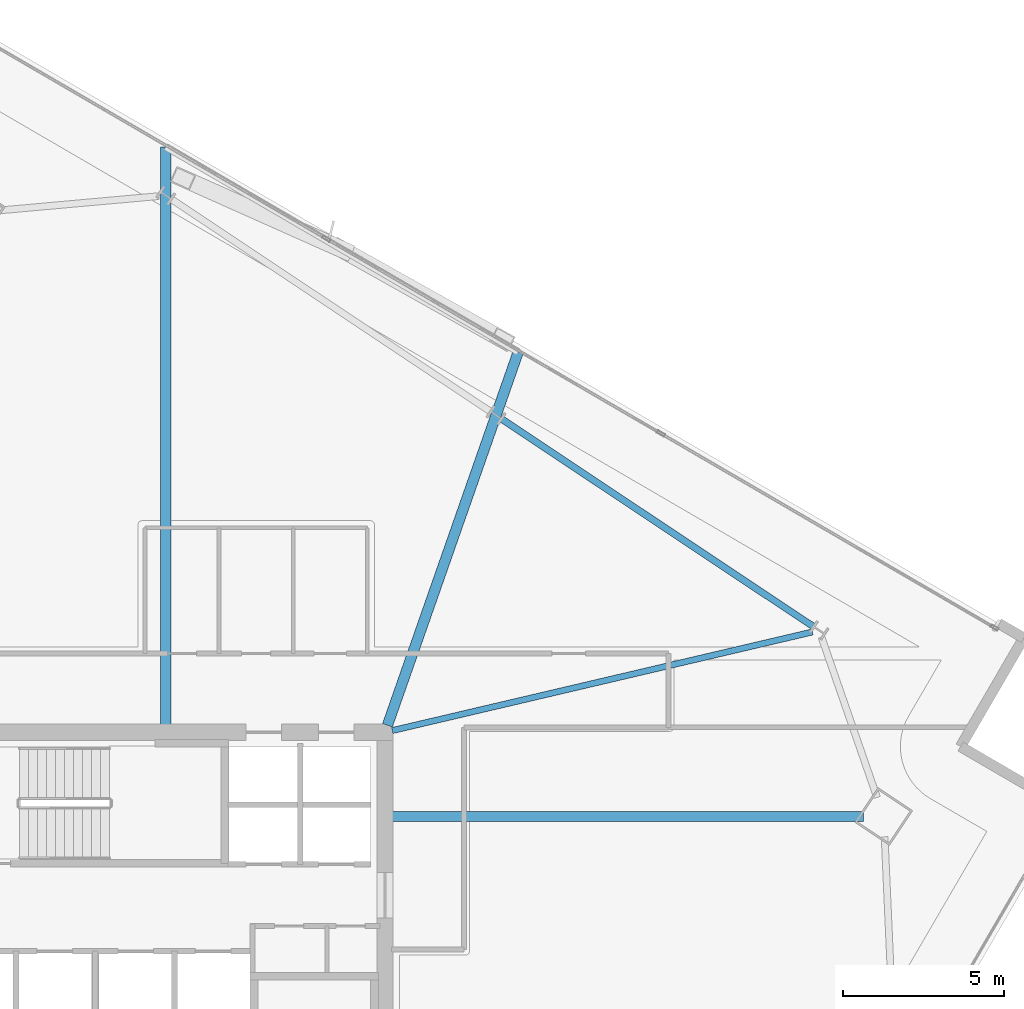
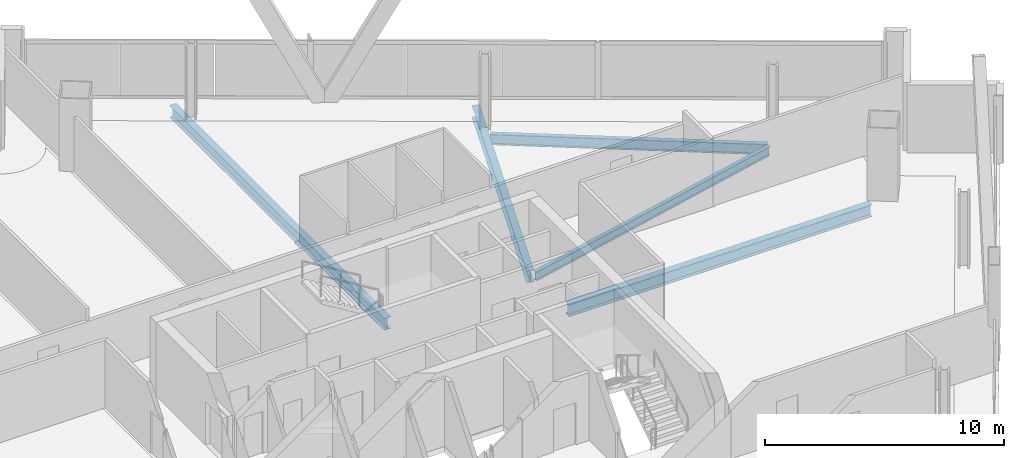
# One storey, part 16 of 29: 5 beams.
"""IFC4 building model written with IfcOpenShell, lengths in metres."""

from ifc_helpers import new_model, si_unit, direction, frame, origin, origin_2d, place, context, subcontext, project, spatial, i_section, extrude, material, material_profile, profile_set, type_object, element, save


model = new_model("IFC4")

# Units and contexts
model_context = context("Model", 3, precision=1e-05, world=origin(), true_north=direction((0.0, 1.0)))
body_context = subcontext(model_context, "Body", "Model", "MODEL_VIEW")
ifc_project = project(units=[si_unit("LENGTHUNIT", "METRE"), si_unit("AREAUNIT", "SQUARE_METRE"), si_unit("VOLUMEUNIT", "CUBIC_METRE"), si_unit("PLANEANGLEUNIT", "RADIAN"), si_unit("MASSUNIT", "GRAM", prefix="KILO")], contexts=[model_context])

# Site, building, storey
site_placement = place(None, origin())
site = spatial("IfcSite", under=ifc_project, at=site_placement, CompositionType="ELEMENT")
building_placement = place(site_placement, origin())
building = spatial("IfcBuilding", under=site, at=building_placement, Name="Haldenkirk Collegiate Tower", CompositionType="ELEMENT")
storey_placement = place(building_placement, frame((0.0, 0.0, 228.449951171875)))
storey = spatial("IfcBuildingStorey", under=building, at=storey_placement, Name="L57", CompositionType="ELEMENT", Elevation=228.449951171875)

# Beams
ifc_material = material(Name="Steel ASTM A992 Grade 50", Category="steel")
ifc_material_profile_1 = material_profile(ifc_material, i_section(OverallWidth=0.324951171875, OverallDepth=0.615966796875, WebThickness=0.013916015625, FlangeThickness=0.021484375, at=origin_2d()), Name="W24X117")
ifc_profile_set_1 = profile_set([ifc_material_profile_1], Name="Steel ASTM A992 Grade 50")
beam_type_1 = type_object("IfcBeamType", Name="BM-GIRDER-W24X117", PredefinedType="BEAM", material=ifc_profile_set_1)
beam_1_placement = place(storey_placement, frame((59.856201171875, 31.3837890625, -0.587890625), z_axis=(-1.0, 0.0, 0.0), x_axis=(0.0, -1.0, 0.0)))
element("IfcBeam", 1, at=beam_1_placement, inside=storey, type_object=beam_type_1, Name="L57 primary floor girder 02", PredefinedType="BEAM", context=body_context, shape_type="SweptSolid", body=[
    extrude(i_section(OverallWidth=0.324951171875, OverallDepth=0.615966796875, WebThickness=0.013916015625, FlangeThickness=0.021484375, at=origin_2d()), origin(), (0.0, 0.0, 1.0), 14.626220703125),
])
beam_2_placement = place(storey_placement, frame((49.136962890625, 45.810791015625, -0.587890625), z_axis=(-0.330584122223, -0.943776529765, 0.0), x_axis=(0.943776529765, -0.330584122223, 0.0)))
element("IfcBeam", 2, at=beam_2_placement, inside=storey, type_object=beam_type_1, Name="L57 primary floor girder 09", PredefinedType="BEAM", context=body_context, shape_type="SweptSolid", body=[
    extrude(i_section(OverallWidth=0.324951171875, OverallDepth=0.615966796875, WebThickness=0.013916015625, FlangeThickness=0.021484375, at=origin_2d()), origin(), (0.0, 0.0, 1.0), 12.284423828125),
])
beam_3_placement = place(storey_placement, frame((38.192626953125, 52.180419921875, -0.587890625), z_axis=(0.0, -1.0, 0.0), x_axis=(1.0, 0.0, 0.0)))
element("IfcBeam", 3, at=beam_3_placement, inside=storey, type_object=beam_type_1, Name="L57 primary floor girder 10", PredefinedType="BEAM", context=body_context, shape_type="SweptSolid", body=[
    extrude(i_section(OverallWidth=0.324951171875, OverallDepth=0.615966796875, WebThickness=0.013916015625, FlangeThickness=0.021484375, at=origin_2d()), origin(), (0.0, 0.0, 1.0), 17.950439453125),
])
ifc_material_profile_2 = material_profile(ifc_material, i_section(OverallWidth=0.18994140625, OverallDepth=0.45703125, WebThickness=0.009033203125, FlangeThickness=0.014404296875, at=origin_2d()), Name="W18X50")
ifc_profile_set_2 = profile_set([ifc_material_profile_2], Name="Steel ASTM A992 Grade 50")
beam_type_2 = type_object("IfcBeamType", Name="BM-JOIST-W18X50", PredefinedType="JOIST", material=ifc_profile_set_2)
beam_4_placement = place(storey_placement, frame((58.26953125, 37.114013671875, -0.508544921875), z_axis=(-0.973550809881, -0.228470612069, 0.0), x_axis=(0.228470612069, -0.973550809881, 0.0)))
element("IfcBeam", 4, at=beam_4_placement, inside=storey, type_object=beam_type_2, Name="L57 composite floor joist 08", PredefinedType="JOIST", context=body_context, shape_type="SweptSolid", body=[
    extrude(i_section(OverallWidth=0.18994140625, OverallDepth=0.45703125, WebThickness=0.009033203125, FlangeThickness=0.014404296875, at=origin_2d()), origin(), (0.0, 0.0, 1.0), 13.400146484375),
])
ifc_material_profile_3 = material_profile(ifc_material, i_section(OverallWidth=0.2099609375, OverallDepth=0.537109375, WebThickness=0.010986328125, FlangeThickness=0.017333984375, at=origin_2d()), Name="W21X68")
ifc_profile_set_3 = profile_set([ifc_material_profile_3], Name="Steel ASTM A992 Grade 50")
beam_type_3 = type_object("IfcBeamType", Name="BM-SPANDREL-W21X68", PredefinedType="SPANDREL", material=ifc_profile_set_3)
beam_5_placement = place(storey_placement, frame((58.30029296875, 37.28369140625, -0.54833984375), z_axis=(-0.832431545828, 0.554127892738, 0.0), x_axis=(-0.554127892738, -0.832431545828, 0.0)))
element("IfcBeam", 5, at=beam_5_placement, inside=storey, type_object=beam_type_3, Name="L57 perimeter spandrel beam 06", PredefinedType="SPANDREL", context=body_context, shape_type="SweptSolid", body=[
    extrude(i_section(OverallWidth=0.2099609375, OverallDepth=0.537109375, WebThickness=0.010986328125, FlangeThickness=0.017333984375, at=origin_2d()), origin(), (0.0, 0.0, 1.0), 11.619140625),
])

save(model, "model.ifc")
